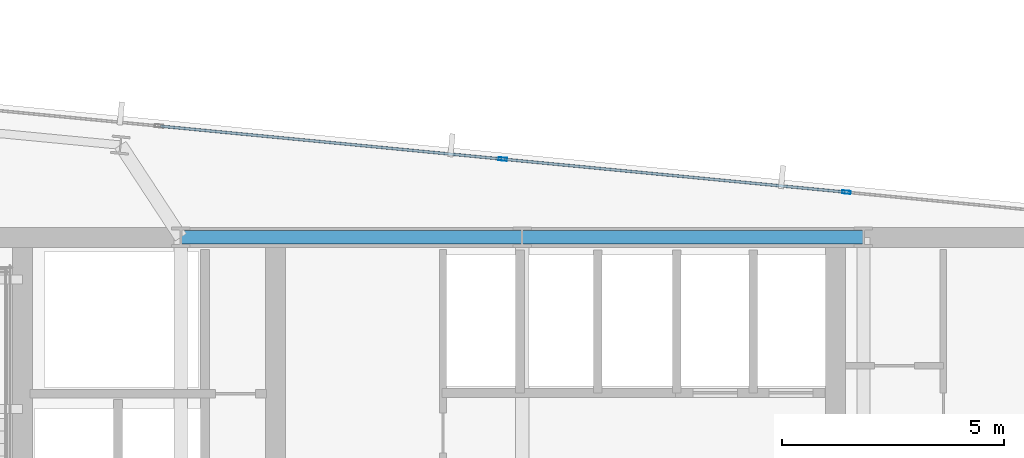
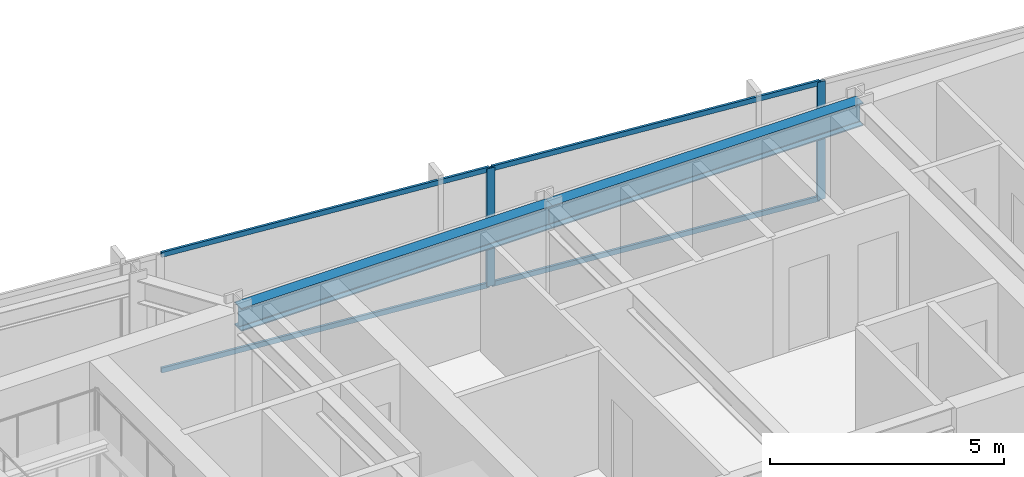
# One storey, part 26 of 38: 6 members, 2 beams, 1 element without a shape of its own.
"""IFC4 building model written with IfcOpenShell, lengths in metres."""

from ifc_helpers import new_model, si_unit, direction, frame, origin, origin_2d, place, context, subcontext, project, spatial, hollow_rectangle, i_section, extrude, material, material_profile, profile_set, type_object, element, aggregate, save


model = new_model("IFC4")

# Units and contexts
model_context = context("Model", 3, precision=1e-05, world=origin(), true_north=direction((0.0, 1.0)))
body_context = subcontext(model_context, "Body", "Model", "MODEL_VIEW")
ifc_project = project(units=[si_unit("LENGTHUNIT", "METRE"), si_unit("AREAUNIT", "SQUARE_METRE"), si_unit("VOLUMEUNIT", "CUBIC_METRE"), si_unit("PLANEANGLEUNIT", "RADIAN"), si_unit("MASSUNIT", "GRAM", prefix="KILO")], contexts=[model_context])

# Site, building, storey
site_placement = place(None, origin())
site = spatial("IfcSite", under=ifc_project, at=site_placement, CompositionType="ELEMENT")
building_placement = place(site_placement, origin())
building = spatial("IfcBuilding", under=site, at=building_placement, Name="Yelkora Congress Tower", CompositionType="ELEMENT")
storey_placement = place(building_placement, frame((0.0, 0.0, 172.10009765625)))
storey = spatial("IfcBuildingStorey", under=building, at=storey_placement, Name="L47", CompositionType="ELEMENT", Elevation=172.10009765625)

# Beams
ifc_material_1 = material(Name="Steel S355J2", Category="steel")
ifc_material_profile_1 = material_profile(ifc_material_1, i_section(OverallWidth=0.300048828125, OverallDepth=0.60009765625, WebThickness=0.015380859375, FlangeThickness=0.030029296875, FilletRadius=0.027099609375, at=origin_2d()), Name="HEB 600")
ifc_profile_set_1 = profile_set([ifc_material_profile_1], Name="Steel S355J2")
beam_type = type_object("IfcBeamType", Name="BM-GIRD-HEB600", PredefinedType="BEAM", material=ifc_profile_set_1)
beam_1_placement = place(storey_placement, frame((30.719970703125, 46.199951171875, 2.77978515625), z_axis=(1.0, 0.0, 0.0), x_axis=(0.0, 1.0, 0.0)))
element("IfcBeam", 1, at=beam_1_placement, inside=storey, type_object=beam_type, Name="L47 Core North Girder 3", PredefinedType="BEAM", context=body_context, shape_type="SweptSolid", body=[
    extrude(i_section(OverallWidth=0.300048828125, OverallDepth=0.60009765625, WebThickness=0.015380859375, FlangeThickness=0.030029296875, FilletRadius=0.027099609375, at=origin_2d()), origin(), (0.0, 0.0, 1.0), 7.679931640625),
])
beam_2_placement = place(storey_placement, frame((38.39990234375, 46.199951171875, 2.77978515625), z_axis=(1.0, 0.0, 0.0), x_axis=(0.0, 1.0, 0.0)))
element("IfcBeam", 2, at=beam_2_placement, inside=storey, type_object=beam_type, Name="L47 Core North Girder 4", PredefinedType="BEAM", context=body_context, shape_type="SweptSolid", body=[
    extrude(i_section(OverallWidth=0.300048828125, OverallDepth=0.60009765625, WebThickness=0.015380859375, FlangeThickness=0.030029296875, FilletRadius=0.027099609375, at=origin_2d()), origin(), (0.0, 0.0, 1.0), 7.68017578125),
])

# Curtain wall, members
ifc_material_2 = material(Name="Anodised aluminium and insulated glass", Category="aluminium")
curtain_wall_type = type_object("IfcCurtainWallType", Name="CW-SYS-B3", PredefinedType="NOTDEFINED", material=ifc_material_2)
curtain_wall_placement = place(storey_placement, origin())
curtain_wall = element("IfcCurtainWall", 3, at=curtain_wall_placement, inside=storey, type_object=curtain_wall_type, Name="L47 Unitised Curtain Wall 10 (1)", PredefinedType="NOTDEFINED")
ifc_material_3 = material(Name="Anodised aluminium 6063-T6", Category="aluminium")
ifc_material_profile_2 = material_profile(ifc_material_3, hollow_rectangle(XDim=0.070068359375, YDim=0.18994140625, WallThickness=0.00390625, at=origin_2d()), Name="ALU 70x190x4")
ifc_profile_set_2 = profile_set([ifc_material_profile_2], Name="Anodised aluminium 6063-T6")
member_type_1 = type_object("IfcMemberType", Name="MEM-ML-B3", PredefinedType="MULLION", material=ifc_profile_set_2)
member_1_placement = place(storey_placement, frame((37.9638671875, 47.958984375, 0.0), z_axis=(0.0, 0.0, 1.0), x_axis=(0.095844761168, 0.995396293823, 0.0)))
member_1 = element("IfcMember", 4, at=member_1_placement, type_object=member_type_1, Name="CW-B3 mullion 5", PredefinedType="MULLION", context=body_context, shape_type="SweptSolid", body=[
    extrude(hollow_rectangle(XDim=0.070068359375, YDim=0.18994140625, WallThickness=0.00390625, at=origin_2d()), origin(), (0.0, 0.0, 1.0), 3.079833984375),
])
member_2_placement = place(storey_placement, frame((45.697509765625, 47.21435546875, 0.0), z_axis=(0.0, 0.0, 1.0), x_axis=(0.095844761168, 0.995396293823, 0.0)))
member_2 = element("IfcMember", 5, at=member_2_placement, type_object=member_type_1, Name="CW-B3 mullion 6", PredefinedType="MULLION", context=body_context, shape_type="SweptSolid", body=[
    extrude(hollow_rectangle(XDim=0.070068359375, YDim=0.18994140625, WallThickness=0.00390625, at=origin_2d()), origin(), (0.0, 0.0, 1.0), 3.079833984375),
])
ifc_material_profile_3 = material_profile(ifc_material_3, hollow_rectangle(XDim=0.06005859375, YDim=0.1298828125, WallThickness=0.00390625, at=origin_2d()), Name="ALU 60x130x4")
ifc_profile_set_3 = profile_set([ifc_material_profile_3], Name="Anodised aluminium 6063-T6")
member_type_2 = type_object("IfcMemberType", Name="MEM-TR-B3", PredefinedType="USERDEFINED", material=ifc_profile_set_3)
member_3_placement = place(storey_placement, frame((30.26513671875, 48.7001953125, 0.02978515625), z_axis=(0.995398042106, -0.095826602633, 0.0), x_axis=(0.095826602633, 0.995398042106, 0.0)))
member_3 = element("IfcMember", 6, at=member_3_placement, type_object=member_type_2, Name="CW-B3 transom 4.1", ObjectType="TRANSOM", PredefinedType="USERDEFINED", context=body_context, shape_type="SweptSolid", body=[
    extrude(hollow_rectangle(XDim=0.06005859375, YDim=0.1298828125, WallThickness=0.00390625, at=origin_2d()), origin(), (0.0, 0.0, 1.0), 7.69921875),
])
member_4_placement = place(storey_placement, frame((30.26513671875, 48.7001953125, 3.0498046875), z_axis=(0.995398042106, -0.095826602633, 0.0), x_axis=(0.095826602633, 0.995398042106, 0.0)))
member_4 = element("IfcMember", 7, at=member_4_placement, type_object=member_type_2, Name="CW-B3 transom 4.2", ObjectType="TRANSOM", PredefinedType="USERDEFINED", context=body_context, shape_type="SweptSolid", body=[
    extrude(hollow_rectangle(XDim=0.06005859375, YDim=0.1298828125, WallThickness=0.00390625, at=origin_2d()), origin(), (0.0, 0.0, 1.0), 7.69921875),
])
member_5_placement = place(storey_placement, frame((37.998779296875, 47.95556640625, 0.02978515625), z_axis=(0.995398042106, -0.095826602633, 0.0), x_axis=(0.095826602633, 0.995398042106, 0.0)))
member_5 = element("IfcMember", 8, at=member_5_placement, type_object=member_type_2, Name="CW-B3 transom 5.1", ObjectType="TRANSOM", PredefinedType="USERDEFINED", context=body_context, shape_type="SweptSolid", body=[
    extrude(hollow_rectangle(XDim=0.06005859375, YDim=0.1298828125, WallThickness=0.00390625, at=origin_2d()), origin(), (0.0, 0.0, 1.0), 7.69921875),
])
member_6_placement = place(storey_placement, frame((37.998779296875, 47.95556640625, 3.0498046875), z_axis=(0.995398042106, -0.095826602633, 0.0), x_axis=(0.095826602633, 0.995398042106, 0.0)))
member_6 = element("IfcMember", 9, at=member_6_placement, type_object=member_type_2, Name="CW-B3 transom 5.2", ObjectType="TRANSOM", PredefinedType="USERDEFINED", context=body_context, shape_type="SweptSolid", body=[
    extrude(hollow_rectangle(XDim=0.06005859375, YDim=0.1298828125, WallThickness=0.00390625, at=origin_2d()), origin(), (0.0, 0.0, 1.0), 7.69921875),
])
aggregate(curtain_wall, [member_1, member_2, member_3, member_4, member_5, member_6])

save(model, "model.ifc")
